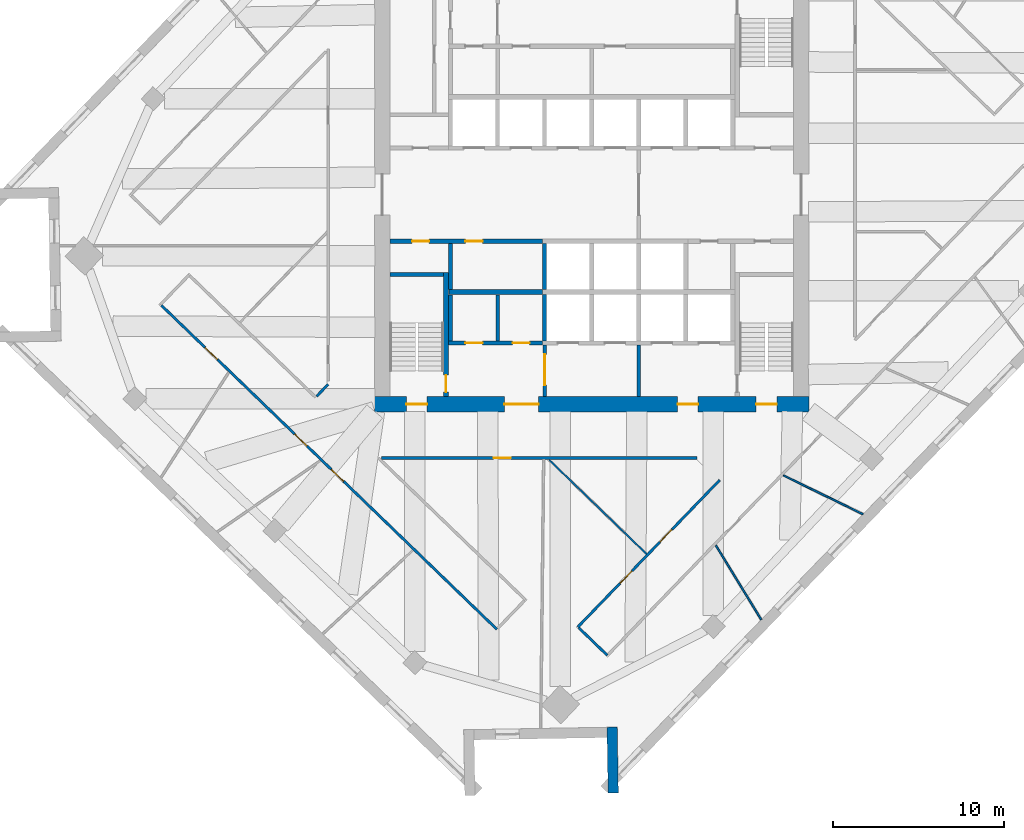
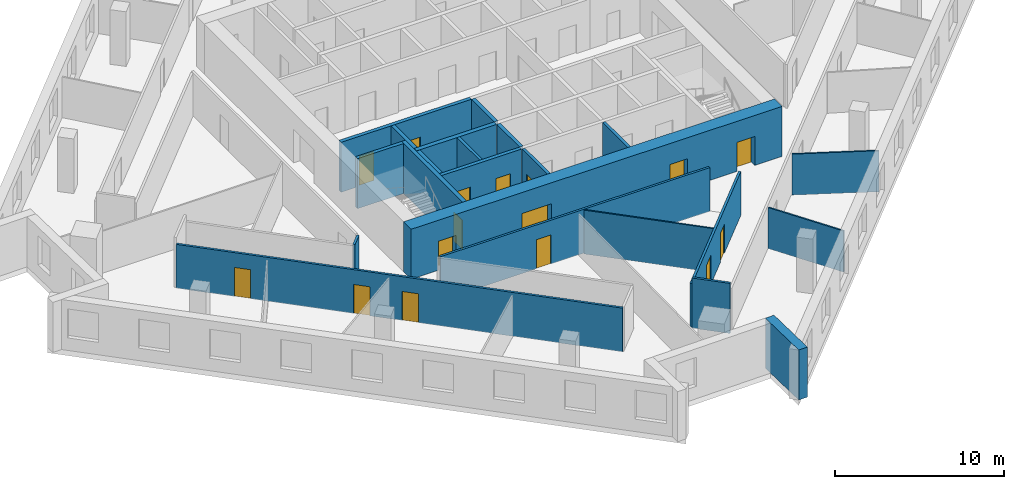
# One storey, part 6 of 13: 22 walls, 16 doors, 16 openings.
"""IFC4 building model written with IfcOpenShell, lengths in metres."""

from ifc_helpers import new_model, si_unit, direction, frame, frame_2d, origin, place, context, subcontext, project, spatial, rectangle, extrude, material, layer, layer_set, type_object, element, fill, save


model = new_model("IFC4")

# Units and contexts
model_context = context("Model", 3, precision=1e-05, world=origin(), true_north=direction((0.0, 1.0)))
body_context = subcontext(model_context, "Body", "Model", "MODEL_VIEW")
ifc_project = project(units=[si_unit("LENGTHUNIT", "METRE"), si_unit("AREAUNIT", "SQUARE_METRE"), si_unit("VOLUMEUNIT", "CUBIC_METRE"), si_unit("PLANEANGLEUNIT", "RADIAN"), si_unit("MASSUNIT", "GRAM", prefix="KILO")], contexts=[model_context])

# Site, building, storey
site_placement = place(None, origin())
site = spatial("IfcSite", under=ifc_project, at=site_placement, CompositionType="ELEMENT")
building_placement = place(site_placement, origin())
building = spatial("IfcBuilding", under=site, at=building_placement, Name="Dilmun Exchange Tower", CompositionType="ELEMENT")
storey_placement = place(building_placement, frame((0.0, 0.0, 205.300048828125)))
storey = spatial("IfcBuildingStorey", under=building, at=storey_placement, Name="L48", CompositionType="ELEMENT", Elevation=205.300048828125)

# Wall, opening, door
ifc_material_1 = material(Name="Concrete C40/50", Category="concrete")
ifc_layer_1 = layer(ifc_material_1, 0.199951171875)
ifc_layer_set_1 = layer_set([ifc_layer_1], Name="Concrete C40/50")
wall_type_1 = type_object("IfcWallType", Name="Core partition wall 200", PredefinedType="PARTITIONING", material=ifc_layer_set_1)
wall_1_placement = place(storey_placement, frame((-2.75, -11.794921875, 0.0), z_axis=(0.0, 0.0, 1.0), x_axis=(0.0, 1.0, 0.0)))
wall_1 = element("IfcWall", 1, at=wall_1_placement, inside=storey, type_object=wall_type_1, Name="L48 core partition wall 01", PredefinedType="PARTITIONING", context=body_context, shape_type="SweptSolid", body=[
    extrude(rectangle(XDim=2.989990234375, YDim=0.199951171875, at=frame_2d((1.4951171875, 0.0))), origin(), (0.0, 0.0, 1.0), 3.619873046875),
])
opening_1_placement = place(wall_1_placement, frame((0.657470703125, 0.0, 0.0)))
opening_1 = element("IfcOpeningElement", 2, at=opening_1_placement, cuts=wall_1, Name="Opening CD5", PredefinedType="OPENING", context=body_context, shape_type="SweptSolid", body=[
    extrude(rectangle(XDim=1.800048828125, YDim=2.10009765625, at=frame_2d((0.89990234375, 1.050048828125))), frame((0.0, 0.10986328125, 0.0), z_axis=(0.0, -1.0, 0.0), x_axis=(1.0, 0.0, 0.0)), (0.0, 0.0, 1.0), 0.219970703125),
])
ifc_material_2 = material(Name="Fire-rated steel door set", Category="steel")
door_type_1 = type_object("IfcDoorType", Name="Stair exit door 1800x2100", OperationType="SINGLE_SWING_LEFT", PredefinedType="DOOR", material=ifc_material_2)
door_1_placement = place(opening_1_placement, origin())
door_1 = element("IfcDoor", 3, at=door_1_placement, inside=storey, type_object=door_type_1, Name="L48 door Service lobby east", OperationType="SINGLE_SWING_LEFT", OverallHeight=2.10009765625, OverallWidth=1.800048828125, PredefinedType="DOOR", context=body_context, shape_type="SweptSolid", body=[
    extrude(rectangle(XDim=1.800048828125, YDim=2.10009765625, at=frame_2d((0.89990234375, 1.050048828125))), frame((0.0, 0.02490234375, 0.0), z_axis=(0.0, -1.0, 0.0), x_axis=(1.0, 0.0, 0.0)), (0.0, 0.0, 1.0), 0.050048828125),
])
fill(opening_1, door_1)

# Walls
wall_2_placement = place(storey_placement, frame((2.75, -11.794921875, 0.0), z_axis=(0.0, 0.0, 1.0), x_axis=(0.0, 1.0, 0.0)))
element("IfcWall", 4, at=wall_2_placement, inside=storey, type_object=wall_type_1, Name="L48 core partition wall 02", PredefinedType="PARTITIONING", context=body_context, shape_type="SweptSolid", body=[
    extrude(rectangle(XDim=2.989990234375, YDim=0.199951171875, at=frame_2d((1.4951171875, 0.0))), origin(), (0.0, 0.0, 1.0), 3.619873046875),
])
wall_3_placement = place(storey_placement, frame((-5.5, -8.544921875, 0.0), z_axis=(0.0, 0.0, 1.0), x_axis=(0.0, 1.0, 0.0)))
element("IfcWall", 5, at=wall_3_placement, inside=storey, type_object=wall_type_1, Name="L48 core partition wall 05", PredefinedType="PARTITIONING", context=body_context, shape_type="SweptSolid", body=[
    extrude(rectangle(XDim=2.68994140625, YDim=0.199951171875, at=frame_2d((1.344970703125, 0.0))), origin(), (0.0, 0.0, 1.0), 3.619873046875),
])

# Wall, openings, doors
ifc_layer_2 = layer(ifc_material_1, 0.25)
ifc_layer_set_2 = layer_set([ifc_layer_2], Name="Concrete C40/50")
wall_type_2 = type_object("IfcWallType", Name="Core partition wall 250", PredefinedType="PARTITIONING", material=ifc_layer_set_2)
wall_4_placement = place(storey_placement, frame((-8.3701171875, -8.675048828125, 0.0), z_axis=(0.0, 0.0, 1.0), x_axis=(1.0, 0.0, 0.0)))
wall_4 = element("IfcWall", 6, at=wall_4_placement, inside=storey, type_object=wall_type_2, Name="L48 core partition wall 03", PredefinedType="PARTITIONING", context=body_context, shape_type="SweptSolid", body=[
    extrude(rectangle(XDim=5.490234375, YDim=0.25, at=frame_2d((2.7451171875, 0.0))), origin(), (0.0, 0.0, 1.0), 3.619873046875),
])
opening_2_placement = place(wall_4_placement, frame((0.9951171875, 0.0, 0.0)))
opening_2 = element("IfcOpeningElement", 7, at=opening_2_placement, cuts=wall_4, Name="Opening CD4", PredefinedType="OPENING", context=body_context, shape_type="SweptSolid", body=[
    extrude(rectangle(XDim=1.0, YDim=2.10009765625, at=frame_2d((0.5, 1.050048828125))), frame((0.0, 0.135009765625, 0.0), z_axis=(0.0, -1.0, 0.0), x_axis=(1.0, 0.0, 0.0)), (0.0, 0.0, 1.0), 0.27001953125),
])
opening_3_placement = place(wall_4_placement, frame((3.7451171875, 0.0, 0.0)))
opening_3 = element("IfcOpeningElement", 8, at=opening_3_placement, cuts=wall_4, Name="Opening CD4", PredefinedType="OPENING", context=body_context, shape_type="SweptSolid", body=[
    extrude(rectangle(XDim=1.0, YDim=2.10009765625, at=frame_2d((0.5, 1.050048828125))), frame((0.0, 0.135009765625, 0.0), z_axis=(0.0, -1.0, 0.0), x_axis=(1.0, 0.0, 0.0)), (0.0, 0.0, 1.0), 0.27001953125),
])
door_type_2 = type_object("IfcDoorType", Name="Core room door 1000x2100", OperationType="SINGLE_SWING_LEFT", PredefinedType="DOOR", material=ifc_material_2)
door_2_placement = place(opening_2_placement, origin())
door_2 = element("IfcDoor", 9, at=door_2_placement, inside=storey, type_object=door_type_2, Name="L48 door Male WC", OperationType="SINGLE_SWING_LEFT", OverallHeight=2.10009765625, OverallWidth=1.0, PredefinedType="DOOR", context=body_context, shape_type="SweptSolid", body=[
    extrude(rectangle(XDim=1.0, YDim=2.10009765625, at=frame_2d((0.5, 1.050048828125))), frame((0.0, 0.02490234375, 0.0), z_axis=(0.0, -1.0, 0.0), x_axis=(1.0, 0.0, 0.0)), (0.0, 0.0, 1.0), 0.050048828125),
])
fill(opening_2, door_2)
door_3_placement = place(opening_3_placement, origin())
door_3 = element("IfcDoor", 10, at=door_3_placement, inside=storey, type_object=door_type_2, Name="L48 door Female WC", OperationType="SINGLE_SWING_LEFT", OverallHeight=2.10009765625, OverallWidth=1.0, PredefinedType="DOOR", context=body_context, shape_type="SweptSolid", body=[
    extrude(rectangle(XDim=1.0, YDim=2.10009765625, at=frame_2d((0.5, 1.050048828125))), frame((0.0, 0.02490234375, 0.0), z_axis=(0.0, -1.0, 0.0), x_axis=(1.0, 0.0, 0.0)), (0.0, 0.0, 1.0), 0.050048828125),
])
fill(opening_3, door_3)

# Walls
for number, where, z_axis, x_axis, name in (
    (11, (-8.25, -8.544921875, 0.0), (0.0, 0.0, 1.0), (0.0, 1.0, 0.0), "L48 core partition wall 04"),
    (12, (-8.25, -5.544921875, 0.0), (0.0, 0.0, 1.0), (0.0, 1.0, 0.0), "L48 core partition wall 07"),
):
    element("IfcWall", number, at=place(storey_placement, frame(where, z_axis=z_axis, x_axis=x_axis)), inside=storey, type_object=wall_type_2, Name=name, PredefinedType="PARTITIONING", context=body_context, shape_type="SweptSolid", body=[
        extrude(rectangle(XDim=2.68994140625, YDim=0.25, at=frame_2d((1.344970703125, 0.0))), origin(), (0.0, 0.0, 1.0), 3.619873046875),
    ])

# Wall, openings, doors
wall_5_placement = place(storey_placement, frame((-11.794921875, -2.72509765625, 0.0), z_axis=(0.0, 0.0, 1.0), x_axis=(1.0, 0.0, 0.0)))
wall_5 = element("IfcWall", 13, at=wall_5_placement, inside=storey, type_object=wall_type_2, Name="L48 core partition wall 09", PredefinedType="PARTITIONING", context=body_context, shape_type="SweptSolid", body=[
    extrude(rectangle(XDim=8.9150390625, YDim=0.25, at=frame_2d((4.45751953125, 0.0))), origin(), (0.0, 0.0, 1.0), 3.619873046875),
])
opening_4_placement = place(wall_5_placement, frame((1.294921875, 0.0, 0.0)))
opening_4 = element("IfcOpeningElement", 14, at=opening_4_placement, cuts=wall_5, Name="Opening CD4", PredefinedType="OPENING", context=body_context, shape_type="SweptSolid", body=[
    extrude(rectangle(XDim=1.0, YDim=2.10009765625, at=frame_2d((0.5, 1.050048828125))), frame((0.0, 0.135009765625, 0.0), z_axis=(0.0, -1.0, 0.0), x_axis=(1.0, 0.0, 0.0)), (0.0, 0.0, 1.0), 0.27001953125),
])
opening_5_placement = place(wall_5_placement, frame((4.419921875, 0.0, 0.0)))
opening_5 = element("IfcOpeningElement", 15, at=opening_5_placement, cuts=wall_5, Name="Opening CD4", PredefinedType="OPENING", context=body_context, shape_type="SweptSolid", body=[
    extrude(rectangle(XDim=1.0, YDim=2.10009765625, at=frame_2d((0.5, 1.050048828125))), frame((0.0, 0.135009765625, 0.0), z_axis=(0.0, -1.0, 0.0), x_axis=(1.0, 0.0, 0.0)), (0.0, 0.0, 1.0), 0.27001953125),
])
door_4_placement = place(opening_4_placement, origin())
door_4 = element("IfcDoor", 16, at=door_4_placement, inside=storey, type_object=door_type_2, Name="L48 door Accessible WC", OperationType="SINGLE_SWING_LEFT", OverallHeight=2.10009765625, OverallWidth=1.0, PredefinedType="DOOR", context=body_context, shape_type="SweptSolid", body=[
    extrude(rectangle(XDim=1.0, YDim=2.10009765625, at=frame_2d((0.5, 1.050048828125))), frame((0.0, 0.02490234375, 0.0), z_axis=(0.0, -1.0, 0.0), x_axis=(1.0, 0.0, 0.0)), (0.0, 0.0, 1.0), 0.050048828125),
])
fill(opening_4, door_4)
door_5_placement = place(opening_5_placement, origin())
door_5 = element("IfcDoor", 17, at=door_5_placement, inside=storey, type_object=door_type_2, Name="L48 door Tenant services room", OperationType="SINGLE_SWING_LEFT", OverallHeight=2.10009765625, OverallWidth=1.0, PredefinedType="DOOR", context=body_context, shape_type="SweptSolid", body=[
    extrude(rectangle(XDim=1.0, YDim=2.10009765625, at=frame_2d((0.5, 1.050048828125))), frame((0.0, 0.02490234375, 0.0), z_axis=(0.0, -1.0, 0.0), x_axis=(1.0, 0.0, 0.0)), (0.0, 0.0, 1.0), 0.050048828125),
])
fill(opening_5, door_5)

# Wall
ifc_layer_3 = layer(ifc_material_1, 0.300048828125)
ifc_layer_set_3 = layer_set([ifc_layer_3], Name="Concrete C40/50")
wall_type_3 = type_object("IfcWallType", Name="Core partition wall 300", PredefinedType="PARTITIONING", material=ifc_layer_set_3)
wall_6_placement = place(storey_placement, frame((-8.35009765625, -5.699951171875, 0.0), z_axis=(0.0, 0.0, 1.0), x_axis=(1.0, 0.0, 0.0)))
element("IfcWall", 18, at=wall_6_placement, inside=storey, type_object=wall_type_3, Name="L48 core partition wall 06", PredefinedType="PARTITIONING", context=body_context, shape_type="SweptSolid", body=[
    extrude(rectangle(XDim=5.47021484375, YDim=0.300048828125, at=frame_2d((2.735107421875, 0.0))), origin(), (0.0, 0.0, 1.0), 3.619873046875),
])

# Wall, openings, doors
ifc_material_3 = material(Name="Concrete C60/75", Category="concrete")
ifc_layer_4 = layer(ifc_material_3, 0.89990234375)
ifc_layer_set_4 = layer_set([ifc_layer_4], Name="Concrete C60/75")
wall_type_4 = type_object("IfcWallType", Name="Core shear wall 900 Concrete C60/75", PredefinedType="SHEAR", material=ifc_layer_set_4)
wall_7_placement = place(storey_placement, frame((-12.699951171875, -12.25, 0.0), z_axis=(0.0, 0.0, 1.0), x_axis=(1.0, 0.0, 0.0)))
wall_7 = element("IfcWall", 19, at=wall_7_placement, inside=storey, type_object=wall_type_4, Name="L48 core shear wall S", PredefinedType="SHEAR", context=body_context, shape_type="SweptSolid", body=[
    extrude(rectangle(XDim=25.39990234375, YDim=0.89990234375, at=frame_2d((12.699951171875, 0.0))), origin(), (0.0, 0.0, 1.0), 3.619873046875),
])
opening_6_placement = place(wall_7_placement, frame((7.60009765625, 0.0, 0.0)))
opening_6 = element("IfcOpeningElement", 20, at=opening_6_placement, cuts=wall_7, Name="Opening CD2", PredefinedType="OPENING", context=body_context, shape_type="SweptSolid", body=[
    extrude(rectangle(XDim=2.0, YDim=2.10009765625, at=frame_2d((1.0, 1.050048828125))), frame((0.0, 0.4599609375, 0.0), z_axis=(0.0, -1.0, 0.0), x_axis=(1.0, 0.0, 0.0)), (0.0, 0.0, 1.0), 0.919921875),
])
opening_7_placement = place(wall_7_placement, frame((17.72509765625, 0.0, 0.0)))
opening_7 = element("IfcOpeningElement", 21, at=opening_7_placement, cuts=wall_7, Name="Opening CD3", PredefinedType="OPENING", context=body_context, shape_type="SweptSolid", body=[
    extrude(rectangle(XDim=1.199951171875, YDim=2.10009765625, at=frame_2d((0.60009765625, 1.050048828125))), frame((0.0, 0.4599609375, 0.0), z_axis=(0.0, -1.0, 0.0), x_axis=(1.0, 0.0, 0.0)), (0.0, 0.0, 1.0), 0.919921875),
])
opening_8_placement = place(wall_7_placement, frame((1.875, 0.0, 0.0)))
opening_8 = element("IfcOpeningElement", 22, at=opening_8_placement, cuts=wall_7, Name="Opening CD3", PredefinedType="OPENING", context=body_context, shape_type="SweptSolid", body=[
    extrude(rectangle(XDim=1.199951171875, YDim=2.10009765625, at=frame_2d((0.60009765625, 1.050048828125))), frame((0.0, 0.4599609375, 0.0), z_axis=(0.0, -1.0, 0.0), x_axis=(1.0, 0.0, 0.0)), (0.0, 0.0, 1.0), 0.919921875),
])
opening_9_placement = place(wall_7_placement, frame((22.324951171875, 0.0, 0.0)))
opening_9 = element("IfcOpeningElement", 23, at=opening_9_placement, cuts=wall_7, Name="Opening CD3", PredefinedType="OPENING", context=body_context, shape_type="SweptSolid", body=[
    extrude(rectangle(XDim=1.199951171875, YDim=2.10009765625, at=frame_2d((0.60009765625, 1.050048828125))), frame((0.0, 0.4599609375, 0.0), z_axis=(0.0, -1.0, 0.0), x_axis=(1.0, 0.0, 0.0)), (0.0, 0.0, 1.0), 0.919921875),
])
door_type_3 = type_object("IfcDoorType", Name="Core service door 2000x2100", OperationType="DOUBLE_DOOR_DOUBLE_SWING", PredefinedType="DOOR", material=ifc_material_2)
door_6_placement = place(opening_6_placement, origin())
door_6 = element("IfcDoor", 24, at=door_6_placement, inside=storey, type_object=door_type_3, Name="L48 door South service lobby", OperationType="SINGLE_SWING_LEFT", OverallHeight=2.10009765625, OverallWidth=2.0, PredefinedType="DOOR", context=body_context, shape_type="SweptSolid", body=[
    extrude(rectangle(XDim=2.0, YDim=2.10009765625, at=frame_2d((1.0, 1.050048828125))), frame((0.0, 0.02490234375, 0.0), z_axis=(0.0, -1.0, 0.0), x_axis=(1.0, 0.0, 0.0)), (0.0, 0.0, 1.0), 0.050048828125),
])
fill(opening_6, door_6)
door_type_4 = type_object("IfcDoorType", Name="Stair exit door 1200x2100", OperationType="SINGLE_SWING_LEFT", PredefinedType="DOOR", material=ifc_material_2)
door_7_placement = place(opening_7_placement, origin())
door_7 = element("IfcDoor", 25, at=door_7_placement, inside=storey, type_object=door_type_4, Name="L48 door Fire-fighting lobby", OperationType="SINGLE_SWING_LEFT", OverallHeight=2.10009765625, OverallWidth=1.199951171875, PredefinedType="DOOR", context=body_context, shape_type="SweptSolid", body=[
    extrude(rectangle(XDim=1.199951171875, YDim=2.10009765625, at=frame_2d((0.60009765625, 1.050048828125))), frame((0.0, 0.02490234375, 0.0), z_axis=(0.0, -1.0, 0.0), x_axis=(1.0, 0.0, 0.0)), (0.0, 0.0, 1.0), 0.050048828125),
])
fill(opening_7, door_7)
door_8_placement = place(opening_8_placement, origin())
door_8 = element("IfcDoor", 26, at=door_8_placement, inside=storey, type_object=door_type_4, Name="L48 door Stair ST2", OperationType="SINGLE_SWING_LEFT", OverallHeight=2.10009765625, OverallWidth=1.199951171875, PredefinedType="DOOR", context=body_context, shape_type="SweptSolid", body=[
    extrude(rectangle(XDim=1.199951171875, YDim=2.10009765625, at=frame_2d((0.60009765625, 1.050048828125))), frame((0.0, 0.02490234375, 0.0), z_axis=(0.0, -1.0, 0.0), x_axis=(1.0, 0.0, 0.0)), (0.0, 0.0, 1.0), 0.050048828125),
])
fill(opening_8, door_8)
door_9_placement = place(opening_9_placement, origin())
door_9 = element("IfcDoor", 27, at=door_9_placement, inside=storey, type_object=door_type_4, Name="L48 door Stair ST3", OperationType="SINGLE_SWING_LEFT", OverallHeight=2.10009765625, OverallWidth=1.199951171875, PredefinedType="DOOR", context=body_context, shape_type="SweptSolid", body=[
    extrude(rectangle(XDim=1.199951171875, YDim=2.10009765625, at=frame_2d((0.60009765625, 1.050048828125))), frame((0.0, 0.02490234375, 0.0), z_axis=(0.0, -1.0, 0.0), x_axis=(1.0, 0.0, 0.0)), (0.0, 0.0, 1.0), 0.050048828125),
])
fill(opening_9, door_9)

ifc_material_4 = material(Name="Corridor wall 150")
ifc_layer_5 = layer(ifc_material_4, 0.14990234375)
ifc_layer_set_5 = layer_set([ifc_layer_5], Name="Corridor wall 150")
wall_type_5 = type_object("IfcWallType", Name="Corridor wall 150", PredefinedType="PARTITIONING", material=ifc_layer_set_5)
wall_8_placement = place(storey_placement, frame((-25.15087890625, -6.47900390625, 0.0), z_axis=(0.0, 0.0, 1.0), x_axis=(0.719341269489, -0.694656849106, 0.0)))
wall_8 = element("IfcWall", 28, at=wall_8_placement, inside=storey, type_object=wall_type_5, Name="Corridor wall", PredefinedType="PARTITIONING", context=body_context, shape_type="SweptSolid", body=[
    extrude(rectangle(XDim=27.258056640625, YDim=0.14990234375, at=frame_2d((13.62890625, 0.0))), origin(), (0.0, 0.0, 1.0), 3.169921875),
])
opening_10_placement = place(wall_8_placement, frame((3.550048828125, 0.0, 0.0)))
opening_10 = element("IfcOpeningElement", 29, at=opening_10_placement, cuts=wall_8, Name="Opening TF48-D01", PredefinedType="OPENING", context=body_context, shape_type="SweptSolid", body=[
    extrude(rectangle(XDim=1.0, YDim=2.10009765625, at=frame_2d((0.5, 1.050048828125))), frame((0.0, 0.0849609375, 0.0), z_axis=(0.0, -1.0, 0.0), x_axis=(1.0, 0.0, 0.0)), (0.0, 0.0, 1.0), 0.169921875),
])
opening_11_placement = place(wall_8_placement, frame((10.831787109375, 0.0, 0.0)))
opening_11 = element("IfcOpeningElement", 30, at=opening_11_placement, cuts=wall_8, Name="Opening TF48-D04", PredefinedType="OPENING", context=body_context, shape_type="SweptSolid", body=[
    extrude(rectangle(XDim=1.0, YDim=2.10009765625, at=frame_2d((0.5, 1.050048828125))), frame((0.0, 0.0849609375, 0.0), z_axis=(0.0, -1.0, 0.0), x_axis=(1.0, 0.0, 0.0)), (0.0, 0.0, 1.0), 0.169921875),
])
opening_12_placement = place(wall_8_placement, frame((13.79736328125, 0.0, 0.0)))
opening_12 = element("IfcOpeningElement", 31, at=opening_12_placement, cuts=wall_8, Name="Opening TF48-D07", PredefinedType="OPENING", context=body_context, shape_type="SweptSolid", body=[
    extrude(rectangle(XDim=1.0, YDim=2.10009765625, at=frame_2d((0.5, 1.050048828125))), frame((0.0, 0.0849609375, 0.0), z_axis=(0.0, -1.0, 0.0), x_axis=(1.0, 0.0, 0.0)), (0.0, 0.0, 1.0), 0.169921875),
])
ifc_material_5 = material(Name="Fire door 1000 x 2100")
door_type_5 = type_object("IfcDoorType", Name="Fire door 1000 x 2100", OperationType="NOTDEFINED", PredefinedType="DOOR", material=ifc_material_5)
door_10_placement = place(opening_10_placement, frame((1.0, 0.0, 0.0), z_axis=(0.0, 0.0, 1.0), x_axis=(-1.0, 0.0, 0.0)))
door_10 = element("IfcDoor", 32, at=door_10_placement, inside=storey, type_object=door_type_5, Name="Door TF48-D01", OperationType="SINGLE_SWING_LEFT", OverallHeight=2.10009765625, OverallWidth=1.0, PredefinedType="DOOR", context=body_context, shape_type="SweptSolid", body=[
    extrude(rectangle(XDim=1.0, YDim=2.10009765625, at=frame_2d((0.5, 1.050048828125))), frame((0.0, 0.02490234375, 0.0), z_axis=(0.0, -1.0, 0.0), x_axis=(1.0, 0.0, 0.0)), (0.0, 0.0, 1.0), 0.050048828125),
])
fill(opening_10, door_10)
door_11_placement = place(opening_11_placement, frame((1.0, 0.0, 0.0), z_axis=(0.0, 0.0, 1.0), x_axis=(-1.0, 0.0, 0.0)))
door_11 = element("IfcDoor", 33, at=door_11_placement, inside=storey, type_object=door_type_5, Name="Door TF48-D04", OperationType="SINGLE_SWING_RIGHT", OverallHeight=2.10009765625, OverallWidth=1.0, PredefinedType="DOOR", context=body_context, shape_type="SweptSolid", body=[
    extrude(rectangle(XDim=1.0, YDim=2.10009765625, at=frame_2d((0.5, 1.050048828125))), frame((0.0, 0.02490234375, 0.0), z_axis=(0.0, -1.0, 0.0), x_axis=(1.0, 0.0, 0.0)), (0.0, 0.0, 1.0), 0.050048828125),
])
fill(opening_11, door_11)
door_12_placement = place(opening_12_placement, frame((1.0, 0.0, 0.0), z_axis=(0.0, 0.0, 1.0), x_axis=(-1.0, 0.0, 0.0)))
door_12 = element("IfcDoor", 34, at=door_12_placement, inside=storey, type_object=door_type_5, Name="Door TF48-D07", OperationType="SINGLE_SWING_RIGHT", OverallHeight=2.10009765625, OverallWidth=1.0, PredefinedType="DOOR", context=body_context, shape_type="SweptSolid", body=[
    extrude(rectangle(XDim=1.0, YDim=2.10009765625, at=frame_2d((0.5, 1.050048828125))), frame((0.0, 0.02490234375, 0.0), z_axis=(0.0, -1.0, 0.0), x_axis=(1.0, 0.0, 0.0)), (0.0, 0.0, 1.0), 0.050048828125),
])
fill(opening_12, door_12)

# Wall
wall_9_placement = place(storey_placement, frame((-16.0830078125, -11.7958984375, 0.0), z_axis=(0.0, 0.0, 1.0), x_axis=(0.694957895629, 0.719050431682, 0.0)))
element("IfcWall", 35, at=wall_9_placement, inside=storey, type_object=wall_type_5, Name="Corridor wall", PredefinedType="PARTITIONING", context=body_context, shape_type="SweptSolid", body=[
    extrude(rectangle(XDim=0.98291015625, YDim=0.14990234375, at=frame_2d((0.491455078125, 0.0))), origin(), (0.0, 0.0, 1.0), 3.169921875),
])

# Wall, opening, door
wall_10_placement = place(storey_placement, frame((-12.2734375, -15.39990234375, 0.0), z_axis=(0.0, 0.0, 1.0), x_axis=(1.0, 0.0, 0.0)))
wall_10 = element("IfcWall", 36, at=wall_10_placement, inside=storey, type_object=wall_type_5, Name="Corridor wall", PredefinedType="PARTITIONING", context=body_context, shape_type="SweptSolid", body=[
    extrude(rectangle(XDim=18.42333984375, YDim=0.14990234375, at=frame_2d((9.211669921875, 0.0))), origin(), (0.0, 0.0, 1.0), 3.169921875),
])
opening_13_placement = place(wall_10_placement, frame((6.550048828125, 0.0, 0.0)))
opening_13 = element("IfcOpeningElement", 37, at=opening_13_placement, cuts=wall_10, Name="Opening TF48-D09", PredefinedType="OPENING", context=body_context, shape_type="SweptSolid", body=[
    extrude(rectangle(XDim=1.0, YDim=2.10009765625, at=frame_2d((0.5, 1.050048828125))), frame((0.0, 0.0849609375, 0.0), z_axis=(0.0, -1.0, 0.0), x_axis=(1.0, 0.0, 0.0)), (0.0, 0.0, 1.0), 0.169921875),
])
door_13_placement = place(opening_13_placement, frame((1.0, 0.0, 0.0), z_axis=(0.0, 0.0, 1.0), x_axis=(-1.0, 0.0, 0.0)))
door_13 = element("IfcDoor", 38, at=door_13_placement, inside=storey, type_object=door_type_5, Name="Door TF48-D09", OperationType="SINGLE_SWING_LEFT", OverallHeight=2.10009765625, OverallWidth=1.0, PredefinedType="DOOR", context=body_context, shape_type="SweptSolid", body=[
    extrude(rectangle(XDim=1.0, YDim=2.10009765625, at=frame_2d((0.5, 1.050048828125))), frame((0.0, 0.02490234375, 0.0), z_axis=(0.0, -1.0, 0.0), x_axis=(1.0, 0.0, 0.0)), (0.0, 0.0, 1.0), 0.050048828125),
])
fill(opening_13, door_13)

# Wall, openings, doors
wall_11_placement = place(storey_placement, frame((-0.802001953125, -25.277099609375, 0.0), z_axis=(0.0, 0.0, 1.0), x_axis=(0.69467482151, 0.71932391338, 0.0)))
wall_11 = element("IfcWall", 39, at=wall_11_placement, inside=storey, type_object=wall_type_5, Name="Corridor wall", PredefinedType="PARTITIONING", context=body_context, shape_type="SweptSolid", body=[
    extrude(rectangle(XDim=11.93505859375, YDim=0.14990234375, at=frame_2d((5.967529296875, 0.0))), origin(), (0.0, 0.0, 1.0), 3.169921875),
])
opening_14_placement = place(wall_11_placement, frame((3.550048828125, 0.0, 0.0)))
opening_14 = element("IfcOpeningElement", 40, at=opening_14_placement, cuts=wall_11, Name="Opening TF48-D13", PredefinedType="OPENING", context=body_context, shape_type="SweptSolid", body=[
    extrude(rectangle(XDim=1.0, YDim=2.10009765625, at=frame_2d((0.5, 1.050048828125))), frame((0.0, 0.0849609375, 0.0), z_axis=(0.0, -1.0, 0.0), x_axis=(1.0, 0.0, 0.0)), (0.0, 0.0, 1.0), 0.169921875),
])
opening_15_placement = place(wall_11_placement, frame((6.90625, 0.0, 0.0)))
opening_15 = element("IfcOpeningElement", 41, at=opening_15_placement, cuts=wall_11, Name="Opening TF48-D14", PredefinedType="OPENING", context=body_context, shape_type="SweptSolid", body=[
    extrude(rectangle(XDim=1.0, YDim=2.10009765625, at=frame_2d((0.5, 1.050048828125))), frame((0.0, 0.0849609375, 0.0), z_axis=(0.0, -1.0, 0.0), x_axis=(1.0, 0.0, 0.0)), (0.0, 0.0, 1.0), 0.169921875),
])
door_14_placement = place(opening_14_placement, origin())
door_14 = element("IfcDoor", 42, at=door_14_placement, inside=storey, type_object=door_type_5, Name="Door TF48-D13", OperationType="SINGLE_SWING_RIGHT", OverallHeight=2.10009765625, OverallWidth=1.0, PredefinedType="DOOR", context=body_context, shape_type="SweptSolid", body=[
    extrude(rectangle(XDim=1.0, YDim=2.10009765625, at=frame_2d((0.5, 1.050048828125))), frame((0.0, 0.02490234375, 0.0), z_axis=(0.0, -1.0, 0.0), x_axis=(1.0, 0.0, 0.0)), (0.0, 0.0, 1.0), 0.050048828125),
])
fill(opening_14, door_14)
door_15_placement = place(opening_15_placement, origin())
door_15 = element("IfcDoor", 43, at=door_15_placement, inside=storey, type_object=door_type_5, Name="Door TF48-D14", OperationType="SINGLE_SWING_RIGHT", OverallHeight=2.10009765625, OverallWidth=1.0, PredefinedType="DOOR", context=body_context, shape_type="SweptSolid", body=[
    extrude(rectangle(XDim=1.0, YDim=2.10009765625, at=frame_2d((0.5, 1.050048828125))), frame((0.0, 0.02490234375, 0.0), z_axis=(0.0, -1.0, 0.0), x_axis=(1.0, 0.0, 0.0)), (0.0, 0.0, 1.0), 0.050048828125),
])
fill(opening_15, door_15)

# Walls
wall_12_placement = place(storey_placement, frame((-0.748046875, -25.3291015625, 0.0), z_axis=(0.0, 0.0, 1.0), x_axis=(0.719490097839, -0.69450269914, 0.0)))
element("IfcWall", 44, at=wall_12_placement, inside=storey, type_object=wall_type_5, Name="Corridor wall", PredefinedType="PARTITIONING", context=body_context, shape_type="SweptSolid", body=[
    extrude(rectangle(XDim=2.325439453125, YDim=0.14990234375, at=frame_2d((1.16259765625, 0.0))), origin(), (0.0, 0.0, 1.0), 3.619873046875),
])
ifc_layer_6 = layer(ifc_material_1, 0.25)
ifc_layer_set_6 = layer_set([ifc_layer_6], Name="Concrete C40/50")
wall_type_6 = type_object("IfcWallType", Name="Lift shaft wall 250", PredefinedType="SOLIDWALL", material=ifc_layer_set_6)
for number, where, z_axis, x_axis, name in (
    (45, (-2.75, -5.550048828125, 0.0), (0.0, 0.0, 1.0), (0.0, 1.0, 0.0), "L48 lift shaft divider S12"),
    (46, (-2.75, -8.550048828125, 0.0), (0.0, 0.0, 1.0), (0.0, 1.0, 0.0), "L48 lift shaft divider S22"),
):
    element("IfcWall", number, at=place(storey_placement, frame(where, z_axis=z_axis, x_axis=x_axis)), inside=storey, type_object=wall_type_6, Name=name, PredefinedType="SOLIDWALL", context=body_context, shape_type="SweptSolid", body=[
        extrude(rectangle(XDim=2.699951171875, YDim=0.25, at=frame_2d((1.35009765625, 0.0))), origin(), (0.0, 0.0, 1.0), 3.619873046875),
    ])
ifc_material_6 = material(Name="Partition 100")
ifc_layer_7 = layer(ifc_material_6, 0.10009765625)
ifc_layer_set_7 = layer_set([ifc_layer_7], Name="Partition 100")
wall_type_7 = type_object("IfcWallType", Name="Partition 100", PredefinedType="PARTITIONING", material=ifc_layer_set_7)
wall_13_placement = place(storey_placement, frame((-2.484130859375, -15.510986328125, 0.0), z_axis=(0.0, 0.0, 1.0), x_axis=(0.719269714203, -0.694730939451, 0.0)))
element("IfcWall", 47, at=wall_13_placement, inside=storey, type_object=wall_type_7, Name="Partition", PredefinedType="PARTITIONING", context=body_context, shape_type="SweptSolid", body=[
    extrude(rectangle(XDim=7.91943359375, YDim=0.10009765625, at=frame_2d((3.959716796875, 0.0))), origin(), (0.0, 0.0, 1.0), 3.169921875),
])
wall_14_placement = place(storey_placement, frame((7.26025390625, -20.509033203125, 0.0), z_axis=(0.0, 0.0, 1.0), x_axis=(0.522477715675, -0.852652940312, 0.0)))
element("IfcWall", 48, at=wall_14_placement, inside=storey, type_object=wall_type_7, Name="Partition", PredefinedType="PARTITIONING", context=body_context, shape_type="SweptSolid", body=[
    extrude(rectangle(XDim=5.091064453125, YDim=0.10009765625, at=frame_2d((2.54541015625, 0.0))), origin(), (0.0, 0.0, 1.0), 2.969970703125),
])
wall_15_placement = place(storey_placement, frame((11.215576171875, -16.417724609375, 0.0), z_axis=(0.0, 0.0, 1.0), x_axis=(0.898851336675, -0.438253664625, 0.0)))
element("IfcWall", 49, at=wall_15_placement, inside=storey, type_object=wall_type_7, Name="Partition", PredefinedType="PARTITIONING", context=body_context, shape_type="SweptSolid", body=[
    extrude(rectangle(XDim=5.17919921875, YDim=0.10009765625, at=frame_2d((2.589599609375, 0.0))), origin(), (0.0, 0.0, 1.0), 2.969970703125),
])
ifc_material_7 = material(Name="Precast concrete C50/60", Category="concrete")
ifc_layer_8 = layer(ifc_material_7, 0.60009765625)
ifc_layer_set_8 = layer_set([ifc_layer_8], Name="Precast concrete C50/60")
wall_type_8 = type_object("IfcWallType", Name="Precast stone-clad wall 600", PredefinedType="STANDARD", material=ifc_layer_set_8)
wall_16_placement = place(storey_placement, frame((1.197265625, -31.13916015625, 0.0), z_axis=(0.0, 0.0, 1.0), x_axis=(0.017454332947, -0.999847661527, 0.0)))
element("IfcWall", 50, at=wall_16_placement, inside=storey, type_object=wall_type_8, Name="Facade wall L48-10", PredefinedType="STANDARD", context=body_context, shape_type="SweptSolid", body=[
    extrude(rectangle(XDim=3.846435546875, YDim=0.60009765625, at=frame_2d((1.92333984375, 0.0))), origin(), (0.0, 0.0, 1.0), 3.619873046875),
])
ifc_layer_9 = layer(ifc_material_1, 0.25)
ifc_layer_set_9 = layer_set([ifc_layer_9], Name="Concrete C40/50")
wall_type_9 = type_object("IfcWallType", Name="Stair end wall 250", PredefinedType="SOLIDWALL", material=ifc_layer_set_9)
wall_17_placement = place(storey_placement, frame((-8.64990234375, -4.675048828125, 0.0), z_axis=(0.0, 0.0, 1.0), x_axis=(-1.0, 0.0, 0.0)))
element("IfcWall", 51, at=wall_17_placement, inside=storey, type_object=wall_type_9, Name="L48 ST2 far wall", PredefinedType="SOLIDWALL", context=body_context, shape_type="SweptSolid", body=[
    extrude(rectangle(XDim=3.150146484375, YDim=0.25, at=frame_2d((1.5751953125, 0.0))), origin(), (0.0, 0.0, 1.0), 3.619873046875),
])

# Wall, opening, door
ifc_layer_10 = layer(ifc_material_1, 0.27490234375)
ifc_layer_set_10 = layer_set([ifc_layer_10], Name="Concrete C40/50")
wall_type_10 = type_object("IfcWallType", Name="Stair wall 275", PredefinedType="SOLIDWALL", material=ifc_layer_set_10)
wall_18_placement = place(storey_placement, frame((-8.512451171875, -4.550048828125, 0.0), z_axis=(0.0, 0.0, 1.0), x_axis=(0.0, -1.0, 0.0)))
wall_18 = element("IfcWall", 52, at=wall_18_placement, inside=storey, type_object=wall_type_10, Name="L48 ST2 wall to lift block", PredefinedType="SOLIDWALL", context=body_context, shape_type="SweptSolid", body=[
    extrude(rectangle(XDim=7.25, YDim=0.27490234375, at=frame_2d((3.625, 0.0))), origin(), (0.0, 0.0, 1.0), 3.619873046875),
])
opening_16_placement = place(wall_18_placement, frame((6.0, 0.0, 0.0)))
opening_16 = element("IfcOpeningElement", 53, at=opening_16_placement, cuts=wall_18, Name="Opening CD4", PredefinedType="OPENING", context=body_context, shape_type="SweptSolid", body=[
    extrude(rectangle(XDim=1.0, YDim=2.10009765625, at=frame_2d((0.5, 1.050048828125))), frame((0.0, 0.1474609375, 0.0), z_axis=(0.0, -1.0, 0.0), x_axis=(1.0, 0.0, 0.0)), (0.0, 0.0, 1.0), 0.294921875),
])
door_16_placement = place(opening_16_placement, origin())
door_16 = element("IfcDoor", 54, at=door_16_placement, inside=storey, type_object=door_type_2, Name="L48 door ST2 from lobby", OperationType="SINGLE_SWING_LEFT", OverallHeight=2.10009765625, OverallWidth=1.0, PredefinedType="DOOR", context=body_context, shape_type="SweptSolid", body=[
    extrude(rectangle(XDim=1.0, YDim=2.10009765625, at=frame_2d((0.5, 1.050048828125))), frame((0.0, 0.02490234375, 0.0), z_axis=(0.0, -1.0, 0.0), x_axis=(1.0, 0.0, 0.0)), (0.0, 0.0, 1.0), 0.050048828125),
])
fill(opening_16, door_16)

save(model, "model.ifc")
